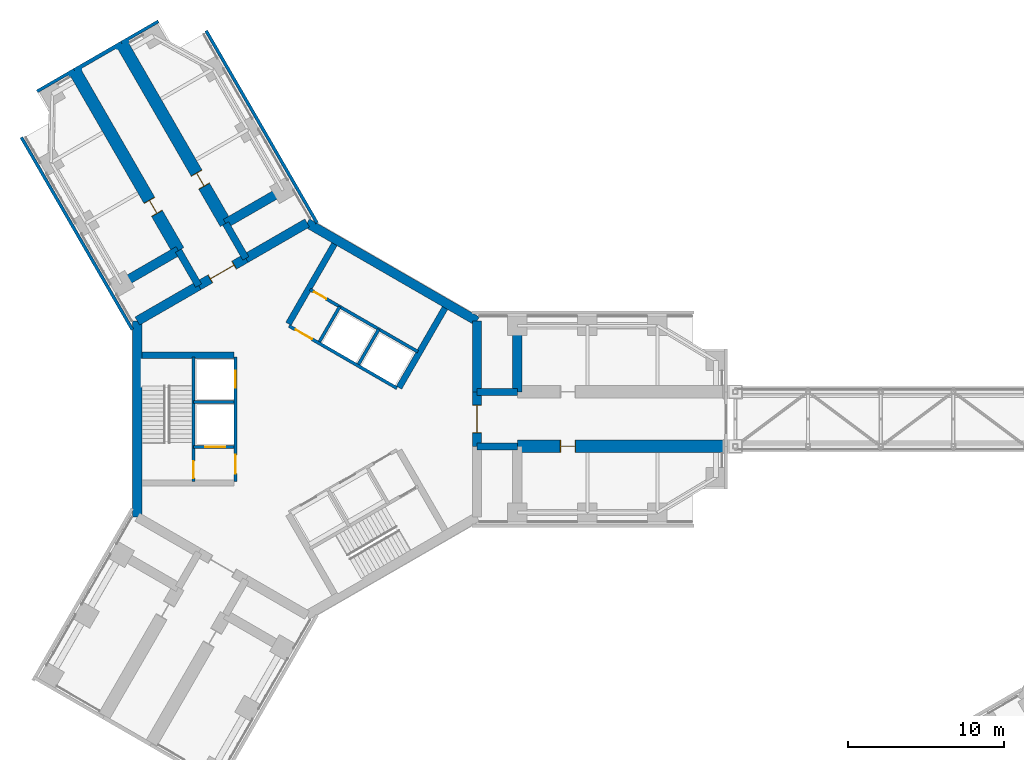
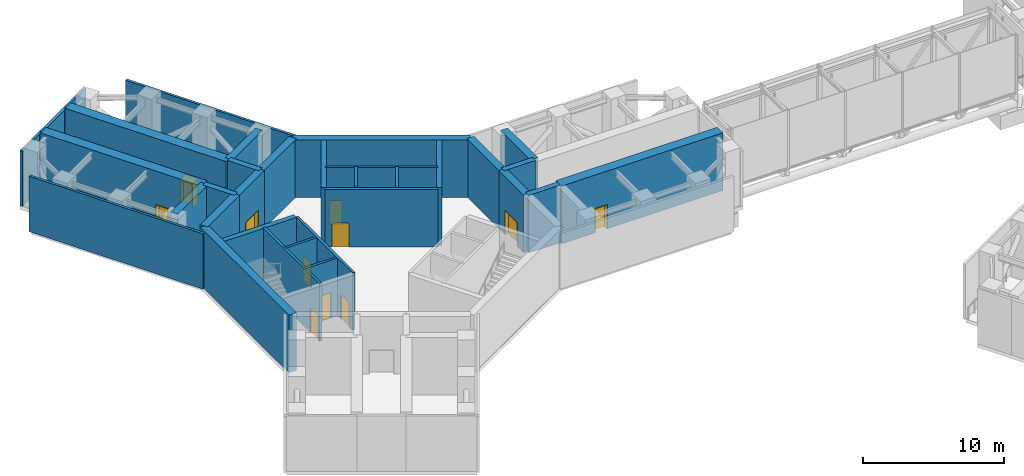
# One storey, part 8 of 15: 35 walls, 11 doors, 11 openings.
"""IFC4 building model written with IfcOpenShell, lengths in metres."""

from ifc_helpers import new_model, si_unit, direction, frame, frame_2d, origin, place, context, subcontext, project, spatial, rectangle, extrude, material, layer, layer_set, type_object, element, fill, save


model = new_model("IFC4")

# Units and contexts
model_context = context("Model", 3, precision=1e-05, world=origin(), true_north=direction((0.0, 1.0)))
body_context = subcontext(model_context, "Body", "Model", "MODEL_VIEW")
ifc_project = project(units=[si_unit("LENGTHUNIT", "METRE"), si_unit("AREAUNIT", "SQUARE_METRE"), si_unit("VOLUMEUNIT", "CUBIC_METRE"), si_unit("PLANEANGLEUNIT", "RADIAN"), si_unit("MASSUNIT", "GRAM", prefix="KILO")], contexts=[model_context])

# Site, building, storey
site_placement = place(None, origin())
site = spatial("IfcSite", under=ifc_project, at=site_placement, CompositionType="ELEMENT")
building_placement = place(site_placement, origin())
building = spatial("IfcBuilding", under=site, at=building_placement, Name="Upepo Twin Towers", CompositionType="ELEMENT")
storey_placement = place(building_placement, frame((0.0, 0.0, 165.5)))
storey = spatial("IfcBuildingStorey", under=building, at=storey_placement, Name="L40", CompositionType="ELEMENT", Elevation=165.5)

# Walls
ifc_material_1 = material(Name="Precast concrete breeze blocks", Category="concrete")
ifc_layer_1 = layer(ifc_material_1, 0.199951171875)
ifc_layer_set_1 = layer_set([ifc_layer_1], Name="Breeze-block screen wall 200")
wall_type_1 = type_object("IfcWallType", Name="Breeze-block screen wall 200", PredefinedType="USERDEFINED", material=ifc_layer_set_1)
for number, where, z_axis, x_axis, name in (
    (1, (-11.225830078125, 5.74365234375, 0.0), (0.0, 0.0, 1.0), (-0.499994100716, 0.866028809711, 0.0), "T1 L40 wing B screen L"),
    (2, (-6.49267578125, 24.94580078125, 0.0), (0.0, 0.0, 1.0), (0.499994100716, -0.866028809711, 0.0), "T1 L40 wing B screen R"),
):
    element("IfcWall", number, at=place(storey_placement, frame(where, z_axis=z_axis, x_axis=x_axis)), inside=storey, type_object=wall_type_1, Name=name, ObjectType="SCREEN", PredefinedType="USERDEFINED", context=body_context, shape_type="SweptSolid", body=[
        extrude(rectangle(XDim=14.262939453125, YDim=0.199951171875, at=frame_2d((7.13134765625, 0.0))), origin(), (0.0, 0.0, 1.0), 4.800048828125),
    ])
for number, where, z_axis, x_axis, name in (
    (3, (-9.552978515625, 25.546142578125, 0.0), (0.0, 0.0, 1.0), (-0.866027397988, -0.499996545922, 0.0), "T1 L40 wing B nose screen 0"),
    (4, (-14.965576171875, 22.421142578125, 0.0), (0.0, 0.0, 1.0), (-0.866027397988, -0.499996545922, 0.0), "T1 L40 wing B nose screen 2"),
):
    element("IfcWall", number, at=place(storey_placement, frame(where, z_axis=z_axis, x_axis=x_axis)), inside=storey, type_object=wall_type_1, Name=name, ObjectType="SCREEN", PredefinedType="USERDEFINED", context=body_context, shape_type="SweptSolid", body=[
        extrude(rectangle(XDim=2.75, YDim=0.199951171875, at=frame_2d((1.375, 0.0))), origin(), (0.0, 0.0, 1.0), 4.800048828125),
    ])
ifc_material_2 = material(Name="Dense concrete blockwork", Category="masonry")
ifc_layer_2 = layer(ifc_material_2, 0.800048828125)
ifc_layer_set_2 = layer_set([ifc_layer_2], Name="Buttress closer 800, blockwork with fire-stopping to the curtain wall")
wall_type_2 = type_object("IfcWallType", Name="Buttress closer 800, blockwork with fire-stopping to the curtain wall", PredefinedType="PARTITIONING", material=ifc_layer_set_2)
wall_1_placement = place(storey_placement, frame((-14.865478515625, 22.247802734375, 0.0), z_axis=(0.0, 0.0, 1.0), x_axis=(-0.500844580232, 0.86553723574, 0.0)))
element("IfcWall", 5, at=wall_1_placement, inside=storey, type_object=wall_type_2, Name="T1 L40 wing B buttress closer L", PredefinedType="PARTITIONING", context=body_context, shape_type="SweptSolid", body=[
    extrude(rectangle(XDim=0.05029296875, YDim=0.800048828125, at=frame_2d((0.025146484375, 0.0))), origin(), (0.0, 0.0, 1.0), 4.800048828125),
])
wall_2_placement = place(storey_placement, frame((-11.83447265625, 23.997802734375, 0.0), z_axis=(0.0, 0.0, 1.0), x_axis=(-0.497188445666, 0.867642581652, 0.0)))
element("IfcWall", 6, at=wall_2_placement, inside=storey, type_object=wall_type_2, Name="T1 L40 wing B buttress closer R", PredefinedType="PARTITIONING", context=body_context, shape_type="SweptSolid", body=[
    extrude(rectangle(XDim=0.050048828125, YDim=0.800048828125, at=frame_2d((0.02490234375, 0.0))), origin(), (0.0, 0.0, 1.0), 4.800048828125),
])
ifc_material_3 = material(Name="Concrete C60/75", Category="concrete")
ifc_layer_3 = layer(ifc_material_3, 0.449951171875)
ifc_layer_set_3 = layer_set([ifc_layer_3], Name="Concrete C60/75")
wall_type_3 = type_object("IfcWallType", Name="Buttress wall 450 RC", PredefinedType="SHEAR", material=ifc_layer_set_3)
for number, where, z_axis, x_axis, name in (
    (7, (10.908447265625, 1.75, 0.0), (0.0, 0.0, 1.0), (1.0, 0.0, 0.0), "T1 wing A buttress wall L"),
    (8, (10.908447265625, -1.75, 0.0), (0.0, 0.0, 1.0), (1.0, 0.0, 0.0), "T1 wing A buttress wall R"),
):
    element("IfcWall", number, at=place(storey_placement, frame(where, z_axis=z_axis, x_axis=x_axis)), inside=storey, type_object=wall_type_3, Name=name, PredefinedType="SHEAR", context=body_context, shape_type="SweptSolid", body=[
        extrude(rectangle(XDim=2.591552734375, YDim=0.449951171875, at=frame_2d((1.2958984375, 0.0))), origin(), (0.0, 0.0, 1.0), 5.0),
    ])
for number, where, z_axis, x_axis, name in (
    (9, (-6.9697265625, 8.57177734375, 0.0), (0.0, 0.0, 1.0), (-0.499988811324, 0.866031863473, 0.0), "T1 wing B buttress wall L"),
    (10, (-3.938720703125, 10.32177734375, 0.0), (0.0, 0.0, 1.0), (-0.499918158782, 0.866072649678, 0.0), "T1 wing B buttress wall R"),
):
    element("IfcWall", number, at=place(storey_placement, frame(where, z_axis=z_axis, x_axis=x_axis)), inside=storey, type_object=wall_type_3, Name=name, PredefinedType="SHEAR", context=body_context, shape_type="SweptSolid", body=[
        extrude(rectangle(XDim=2.591796875, YDim=0.449951171875, at=frame_2d((1.2958984375, 0.0))), origin(), (0.0, 0.0, 1.0), 5.0),
    ])

# Wall, opening, door
ifc_material_4 = material(Name="Concrete C60/75", Category="concrete")
ifc_layer_4 = layer(ifc_material_4, 0.800048828125)
ifc_layer_set_4 = layer_set([ifc_layer_4], Name="Concrete C60/75")
wall_type_4 = type_object("IfcWallType", Name="Buttress wall 800 RC", PredefinedType="SHEAR", material=ifc_layer_set_4)
wall_3_placement = place(storey_placement, frame((13.5, -1.75, 0.0), z_axis=(0.0, 0.0, 1.0), x_axis=(1.0, 0.0, 0.0)))
wall_3 = element("IfcWall", 11, at=wall_3_placement, inside=storey, type_object=wall_type_4, Name="T1 wing A buttress wall R part 2", PredefinedType="SHEAR", context=body_context, shape_type="SweptSolid", body=[
    extrude(rectangle(XDim=13.199951171875, YDim=0.800048828125, at=frame_2d((6.60009765625, 0.0))), origin(), (0.0, 0.0, 1.0), 5.0),
])
opening_1_placement = place(wall_3_placement, frame((2.75, 0.0, 0.0)))
opening_1 = element("IfcOpeningElement", 12, at=opening_1_placement, cuts=wall_3, Name="Opening D1", PredefinedType="OPENING", context=body_context, shape_type="SweptSolid", body=[
    extrude(rectangle(XDim=1.0, YDim=2.10009765625, at=frame_2d((0.5, 1.050048828125))), frame((0.0, 0.409912109375, 0.0), z_axis=(0.0, -1.0, 0.0), x_axis=(1.0, 0.0, 0.0)), (0.0, 0.0, 1.0), 0.820068359375),
])
ifc_material_5 = material(Name="Timber doorset", Category="wood")
door_type_1 = type_object("IfcDoorType", Name="Room door 1000 FD30", OperationType="SINGLE_SWING_LEFT", PredefinedType="DOOR", material=ifc_material_5)
door_1_placement = place(opening_1_placement, origin())
door_1 = element("IfcDoor", 13, at=door_1_placement, inside=storey, type_object=door_type_1, Name="T1 L40 air-handling plant room door", OperationType="SINGLE_SWING_LEFT", OverallHeight=2.10009765625, OverallWidth=1.0, PredefinedType="DOOR", context=body_context, shape_type="SweptSolid", body=[
    extrude(rectangle(XDim=0.92, YDim=2.06009765625, at=frame_2d((0.5, 1.030029296875))), frame((0.0, 0.02490234375, 0.0), z_axis=(0.0, -1.0, 0.0), x_axis=(1.0, 0.0, 0.0)), (0.0, 0.0, 1.0), 0.050048828125),
    extrude(rectangle(XDim=0.04, YDim=2.10009765625, at=frame_2d((0.02001953125, 1.050048828125))), frame((0.0, 0.39990234375, 0.0), z_axis=(0.0, -1.0, 0.0), x_axis=(1.0, 0.0, 0.0)), (0.0, 0.0, 1.0), 0.799560546875),
    extrude(rectangle(XDim=0.04, YDim=2.10009765625, at=frame_2d((0.97998046875, 1.050048828125))), frame((0.0, 0.39990234375, 0.0), z_axis=(0.0, -1.0, 0.0), x_axis=(1.0, 0.0, 0.0)), (0.0, 0.0, 1.0), 0.799560546875),
    extrude(rectangle(XDim=0.92, YDim=0.04, at=frame_2d((0.5, 2.080078125))), frame((0.0, 0.39990234375, 0.0), z_axis=(0.0, -1.0, 0.0), x_axis=(1.0, 0.0, 0.0)), (0.0, 0.0, 1.0), 0.799560546875),
])
fill(opening_1, door_1)

wall_4_placement = place(storey_placement, frame((-8.265625, 10.81640625, 0.0), z_axis=(0.0, 0.0, 1.0), x_axis=(-0.499996231654, 0.866027579429, 0.0)))
wall_4 = element("IfcWall", 14, at=wall_4_placement, inside=storey, type_object=wall_type_4, Name="T1 wing B buttress wall L part 2", PredefinedType="SHEAR", context=body_context, shape_type="SweptSolid", body=[
    extrude(rectangle(XDim=13.19970703125, YDim=0.800048828125, at=frame_2d((6.599853515625, 0.0))), origin(), (0.0, 0.0, 1.0), 5.0),
])
opening_2_placement = place(wall_4_placement, frame((2.75, 0.0, 0.0)))
opening_2 = element("IfcOpeningElement", 15, at=opening_2_placement, cuts=wall_4, Name="Opening D1", PredefinedType="OPENING", context=body_context, shape_type="SweptSolid", body=[
    extrude(rectangle(XDim=1.0, YDim=2.10009765625, at=frame_2d((0.5, 1.050048828125))), frame((0.0, 0.409912109375, 0.0), z_axis=(0.0, -1.0, 0.0), x_axis=(1.0, 0.0, 0.0)), (0.0, 0.0, 1.0), 0.820068359375),
])
door_2_placement = place(opening_2_placement, origin())
door_2 = element("IfcDoor", 16, at=door_2_placement, inside=storey, type_object=door_type_1, Name="T1 L40 refuge area door", OperationType="SINGLE_SWING_LEFT", OverallHeight=2.10009765625, OverallWidth=1.0, PredefinedType="DOOR", context=body_context, shape_type="SweptSolid", body=[
    extrude(rectangle(XDim=0.92, YDim=2.06009765625, at=frame_2d((0.5, 1.030029296875))), frame((0.0, 0.02490234375, 0.0), z_axis=(0.0, -1.0, 0.0), x_axis=(1.0, 0.0, 0.0)), (0.0, 0.0, 1.0), 0.050048828125),
    extrude(rectangle(XDim=0.04, YDim=2.10009765625, at=frame_2d((0.02001953125, 1.050048828125))), frame((0.0, 0.39990234375, 0.0), z_axis=(0.0, -1.0, 0.0), x_axis=(1.0, 0.0, 0.0)), (0.0, 0.0, 1.0), 0.799560546875),
    extrude(rectangle(XDim=0.04, YDim=2.10009765625, at=frame_2d((0.97998046875, 1.050048828125))), frame((0.0, 0.39990234375, 0.0), z_axis=(0.0, -1.0, 0.0), x_axis=(1.0, 0.0, 0.0)), (0.0, 0.0, 1.0), 0.799560546875),
    extrude(rectangle(XDim=0.92, YDim=0.04, at=frame_2d((0.5, 2.080078125))), frame((0.0, 0.39990234375, 0.0), z_axis=(0.0, -1.0, 0.0), x_axis=(1.0, 0.0, 0.0)), (0.0, 0.0, 1.0), 0.799560546875),
])
fill(opening_2, door_2)

wall_5_placement = place(storey_placement, frame((-5.234375, 12.56640625, 0.0), z_axis=(0.0, 0.0, 1.0), x_axis=(-0.500010103361, 0.866019570528, 0.0)))
wall_5 = element("IfcWall", 17, at=wall_5_placement, inside=storey, type_object=wall_type_4, Name="T1 wing B buttress wall R part 2", PredefinedType="SHEAR", context=body_context, shape_type="SweptSolid", body=[
    extrude(rectangle(XDim=13.199951171875, YDim=0.800048828125, at=frame_2d((6.60009765625, 0.0))), origin(), (0.0, 0.0, 1.0), 5.0),
])
opening_3_placement = place(wall_5_placement, frame((2.75, 0.0, 0.0)))
opening_3 = element("IfcOpeningElement", 18, at=opening_3_placement, cuts=wall_5, Name="Opening D1", PredefinedType="OPENING", context=body_context, shape_type="SweptSolid", body=[
    extrude(rectangle(XDim=1.0, YDim=2.10009765625, at=frame_2d((0.5, 1.050048828125))), frame((0.0, 0.409912109375, 0.0), z_axis=(0.0, -1.0, 0.0), x_axis=(1.0, 0.0, 0.0)), (0.0, 0.0, 1.0), 0.820068359375),
])
door_3_placement = place(opening_3_placement, origin())
door_3 = element("IfcDoor", 19, at=door_3_placement, inside=storey, type_object=door_type_1, Name="T1 L40 booster pump plant room door", OperationType="SINGLE_SWING_LEFT", OverallHeight=2.10009765625, OverallWidth=1.0, PredefinedType="DOOR", context=body_context, shape_type="SweptSolid", body=[
    extrude(rectangle(XDim=0.92, YDim=2.06009765625, at=frame_2d((0.5, 1.030029296875))), frame((0.0, 0.02490234375, 0.0), z_axis=(0.0, -1.0, 0.0), x_axis=(1.0, 0.0, 0.0)), (0.0, 0.0, 1.0), 0.050048828125),
    extrude(rectangle(XDim=0.04, YDim=2.10009765625, at=frame_2d((0.02001953125, 1.050048828125))), frame((0.0, 0.39990234375, 0.0), z_axis=(0.0, -1.0, 0.0), x_axis=(1.0, 0.0, 0.0)), (0.0, 0.0, 1.0), 0.799560546875),
    extrude(rectangle(XDim=0.04, YDim=2.10009765625, at=frame_2d((0.97998046875, 1.050048828125))), frame((0.0, 0.39990234375, 0.0), z_axis=(0.0, -1.0, 0.0), x_axis=(1.0, 0.0, 0.0)), (0.0, 0.0, 1.0), 0.799560546875),
    extrude(rectangle(XDim=0.92, YDim=0.04, at=frame_2d((0.5, 2.080078125))), frame((0.0, 0.39990234375, 0.0), z_axis=(0.0, -1.0, 0.0), x_axis=(1.0, 0.0, 0.0)), (0.0, 0.0, 1.0), 0.799560546875),
])
fill(opening_3, door_3)

ifc_material_6 = material(Name="Concrete C60/75", Category="concrete")
ifc_layer_5 = layer(ifc_material_6, 0.60009765625)
ifc_layer_set_5 = layer_set([ifc_layer_5], Name="Concrete C60/75")
wall_type_5 = type_object("IfcWallType", Name="Core wall 600 RC", PredefinedType="SHEAR", material=ifc_layer_set_5)
wall_6_placement = place(storey_placement, frame((10.908447265625, -1.75, 0.0), z_axis=(0.0, 0.0, 1.0), x_axis=(0.0, 1.0, 0.0)))
wall_6 = element("IfcWall", 20, at=wall_6_placement, inside=storey, type_object=wall_type_5, Name="T1 core wall 000", PredefinedType="SHEAR", context=body_context, shape_type="SweptSolid", body=[
    extrude(rectangle(XDim=3.5, YDim=0.60009765625, at=frame_2d((1.75, 0.0))), origin(), (0.0, 0.0, 1.0), 5.0),
])
opening_4_placement = place(wall_6_placement, frame((0.85009765625, 0.0, 0.0)))
opening_4 = element("IfcOpeningElement", 21, at=opening_4_placement, cuts=wall_6, Name="Opening D2", PredefinedType="OPENING", context=body_context, shape_type="SweptSolid", body=[
    extrude(rectangle(XDim=1.800048828125, YDim=2.10009765625, at=frame_2d((0.89990234375, 1.050048828125))), frame((0.0, 0.31005859375, 0.0), z_axis=(0.0, -1.0, 0.0), x_axis=(1.0, 0.0, 0.0)), (0.0, 0.0, 1.0), 0.6201171875),
])
ifc_material_7 = material(Name="Timber doorset", Category="wood")
door_type_2 = type_object("IfcDoorType", Name="Corridor double door 1800 FD60", OperationType="DOUBLE_DOOR_DOUBLE_SWING", PredefinedType="DOOR", material=ifc_material_7)
door_4_placement = place(opening_4_placement, origin())
door_4 = element("IfcDoor", 22, at=door_4_placement, inside=storey, type_object=door_type_2, Name="T1 L40 wing A corridor door", OperationType="DOUBLE_DOOR_DOUBLE_SWING", OverallHeight=2.10009765625, OverallWidth=1.800048828125, PredefinedType="DOOR", context=body_context, shape_type="SweptSolid", body=[
    extrude(rectangle(XDim=1.720048828125, YDim=2.06009765625, at=frame_2d((0.89990234375, 1.030029296875))), frame((0.0, 0.02490234375, 0.0), z_axis=(0.0, -1.0, 0.0), x_axis=(1.0, 0.0, 0.0)), (0.0, 0.0, 1.0), 0.050048828125),
    extrude(rectangle(XDim=0.04, YDim=2.10009765625, at=frame_2d((0.02001953125, 1.050048828125))), frame((0.0, 0.2998046875, 0.0), z_axis=(0.0, -1.0, 0.0), x_axis=(1.0, 0.0, 0.0)), (0.0, 0.0, 1.0), 0.599609375),
    extrude(rectangle(XDim=0.04, YDim=2.10009765625, at=frame_2d((1.780029296875, 1.050048828125))), frame((0.0, 0.2998046875, 0.0), z_axis=(0.0, -1.0, 0.0), x_axis=(1.0, 0.0, 0.0)), (0.0, 0.0, 1.0), 0.599609375),
    extrude(rectangle(XDim=1.720048828125, YDim=0.04, at=frame_2d((0.89990234375, 2.080078125))), frame((0.0, 0.2998046875, 0.0), z_axis=(0.0, -1.0, 0.0), x_axis=(1.0, 0.0, 0.0)), (0.0, 0.0, 1.0), 0.599609375),
])
fill(opening_4, door_4)

# Walls
wall_7_placement = place(storey_placement, frame((10.908447265625, 1.75, 0.0), z_axis=(0.0, 0.0, 1.0), x_axis=(0.0, 1.0, 0.0)))
element("IfcWall", 23, at=wall_7_placement, inside=storey, type_object=wall_type_5, Name="T1 core wall 000 L", PredefinedType="SHEAR", context=body_context, shape_type="SweptSolid", body=[
    extrude(rectangle(XDim=4.5478515625, YDim=0.60009765625, at=frame_2d((2.27392578125, 0.0))), origin(), (0.0, 0.0, 1.0), 5.0),
])
wall_8_placement = place(storey_placement, frame((10.908447265625, 6.2978515625, 0.0), z_axis=(0.0, 0.0, 1.0), x_axis=(-0.866021940709, 0.500005998175, 0.0)))
element("IfcWall", 24, at=wall_8_placement, inside=storey, type_object=wall_type_5, Name="T1 core wall 060", PredefinedType="SHEAR", context=body_context, shape_type="SweptSolid", body=[
    extrude(rectangle(XDim=12.595947265625, YDim=0.60009765625, at=frame_2d((6.2978515625, 0.0))), origin(), (0.0, 0.0, 1.0), 5.0),
])
wall_9_placement = place(storey_placement, frame((0.0, 12.595947265625, 0.0), z_axis=(0.0, 0.0, 1.0), x_axis=(-0.866011268655, -0.500024481964, 0.0)))
element("IfcWall", 25, at=wall_9_placement, inside=storey, type_object=wall_type_5, Name="T1 core wall 120 R", PredefinedType="SHEAR", context=body_context, shape_type="SweptSolid", body=[
    extrude(rectangle(XDim=4.548095703125, YDim=0.60009765625, at=frame_2d((2.27392578125, 0.0))), origin(), (0.0, 0.0, 1.0), 5.0),
])

# Wall, opening, door
wall_10_placement = place(storey_placement, frame((-3.938720703125, 10.32177734375, 0.0), z_axis=(0.0, 0.0, 1.0), x_axis=(-0.866019471182, -0.500010275428, 0.0)))
wall_10 = element("IfcWall", 26, at=wall_10_placement, inside=storey, type_object=wall_type_5, Name="T1 core wall 120", PredefinedType="SHEAR", context=body_context, shape_type="SweptSolid", body=[
    extrude(rectangle(XDim=3.5, YDim=0.60009765625, at=frame_2d((1.75, 0.0))), origin(), (0.0, 0.0, 1.0), 5.0),
])
opening_5_placement = place(wall_10_placement, frame((0.85009765625, 0.0, 0.0)))
opening_5 = element("IfcOpeningElement", 27, at=opening_5_placement, cuts=wall_10, Name="Opening D2", PredefinedType="OPENING", context=body_context, shape_type="SweptSolid", body=[
    extrude(rectangle(XDim=1.800048828125, YDim=2.10009765625, at=frame_2d((0.89990234375, 1.050048828125))), frame((0.0, 0.31005859375, 0.0), z_axis=(0.0, -1.0, 0.0), x_axis=(1.0, 0.0, 0.0)), (0.0, 0.0, 1.0), 0.6201171875),
])
door_5_placement = place(opening_5_placement, origin())
door_5 = element("IfcDoor", 28, at=door_5_placement, inside=storey, type_object=door_type_2, Name="T1 L40 wing B corridor door", OperationType="DOUBLE_DOOR_DOUBLE_SWING", OverallHeight=2.10009765625, OverallWidth=1.800048828125, PredefinedType="DOOR", context=body_context, shape_type="SweptSolid", body=[
    extrude(rectangle(XDim=1.720048828125, YDim=2.06009765625, at=frame_2d((0.89990234375, 1.030029296875))), frame((0.0, 0.02490234375, 0.0), z_axis=(0.0, -1.0, 0.0), x_axis=(1.0, 0.0, 0.0)), (0.0, 0.0, 1.0), 0.050048828125),
    extrude(rectangle(XDim=0.04, YDim=2.10009765625, at=frame_2d((0.02001953125, 1.050048828125))), frame((0.0, 0.2998046875, 0.0), z_axis=(0.0, -1.0, 0.0), x_axis=(1.0, 0.0, 0.0)), (0.0, 0.0, 1.0), 0.599609375),
    extrude(rectangle(XDim=0.04, YDim=2.10009765625, at=frame_2d((1.780029296875, 1.050048828125))), frame((0.0, 0.2998046875, 0.0), z_axis=(0.0, -1.0, 0.0), x_axis=(1.0, 0.0, 0.0)), (0.0, 0.0, 1.0), 0.599609375),
    extrude(rectangle(XDim=1.720048828125, YDim=0.04, at=frame_2d((0.89990234375, 2.080078125))), frame((0.0, 0.2998046875, 0.0), z_axis=(0.0, -1.0, 0.0), x_axis=(1.0, 0.0, 0.0)), (0.0, 0.0, 1.0), 0.599609375),
])
fill(opening_5, door_5)

# Walls
wall_11_placement = place(storey_placement, frame((-6.9697265625, 8.57177734375, 0.0), z_axis=(0.0, 0.0, 1.0), x_axis=(-0.866034513004, -0.499984222037, 0.0)))
element("IfcWall", 29, at=wall_11_placement, inside=storey, type_object=wall_type_5, Name="T1 core wall 120 L", PredefinedType="SHEAR", context=body_context, shape_type="SweptSolid", body=[
    extrude(rectangle(XDim=4.548095703125, YDim=0.60009765625, at=frame_2d((2.27392578125, 0.0))), origin(), (0.0, 0.0, 1.0), 5.0),
])
wall_12_placement = place(storey_placement, frame((-10.908447265625, 6.2978515625, 0.0), z_axis=(0.0, 0.0, 1.0), x_axis=(0.0, -1.0, 0.0)))
element("IfcWall", 30, at=wall_12_placement, inside=storey, type_object=wall_type_5, Name="T1 core wall 180", PredefinedType="SHEAR", context=body_context, shape_type="SweptSolid", body=[
    extrude(rectangle(XDim=12.595703125, YDim=0.60009765625, at=frame_2d((6.2978515625, 0.0))), origin(), (0.0, 0.0, 1.0), 5.0),
])
ifc_material_8 = material(Name="Blockwork with anodised aluminium cladding", Category="masonry")
ifc_layer_6 = layer(ifc_material_8, 0.25)
ifc_layer_set_6 = layer_set([ifc_layer_6], Name="Notch cladding wall 250, pale metal")
wall_type_6 = type_object("IfcWallType", Name="Notch cladding wall 250, pale metal", PredefinedType="STANDARD", material=ifc_layer_set_6)
wall_13_placement = place(storey_placement, frame((-11.921875, 24.1494140625, 0.0), z_axis=(0.0, 0.0, 1.0), x_axis=(-0.866036909293, -0.499980071345, 0.0)))
element("IfcWall", 31, at=wall_13_placement, inside=storey, type_object=wall_type_6, Name="T1 L40 wing B nose wall", PredefinedType="STANDARD", context=body_context, shape_type="SweptSolid", body=[
    extrude(rectangle(XDim=3.500244140625, YDim=0.25, at=frame_2d((1.75, 0.0))), origin(), (0.0, 0.0, 1.0), 4.800048828125),
])
ifc_material_9 = material(Name="Concrete C60/75", Category="concrete")
ifc_layer_7 = layer(ifc_material_9, 0.60009765625)
ifc_layer_set_7 = layer_set([ifc_layer_7], Name="Concrete C60/75")
wall_type_7 = type_object("IfcWallType", Name="Outrigger wall 600 RC", PredefinedType="SHEAR", material=ifc_layer_set_7)
wall_14_placement = place(storey_placement, frame((13.5, 1.75, 0.0), z_axis=(0.0, 0.0, 1.0), x_axis=(0.0, 1.0, 0.0)))
element("IfcWall", 32, at=wall_14_placement, inside=storey, type_object=wall_type_7, Name="T1 outrigger wall AL", PredefinedType="SHEAR", context=body_context, shape_type="SweptSolid", body=[
    extrude(rectangle(XDim=4.25, YDim=0.60009765625, at=frame_2d((2.125, 0.0))), origin(), (0.0, 0.0, 1.0), 5.0),
])
for number, where, z_axis, x_axis, name in (
    (33, (-8.265625, 10.81640625, 0.0), (0.0, 0.0, 1.0), (-0.866014341725, -0.50001915956, 0.0), "T1 outrigger wall BL"),
    (34, (-5.234375, 12.56640625, 0.0), (0.0, 0.0, 1.0), (0.866014341725, 0.50001915956, 0.0), "T1 outrigger wall BR"),
):
    element("IfcWall", number, at=place(storey_placement, frame(where, z_axis=z_axis, x_axis=x_axis)), inside=storey, type_object=wall_type_7, Name=name, PredefinedType="SHEAR", context=body_context, shape_type="SweptSolid", body=[
        extrude(rectangle(XDim=4.249755859375, YDim=0.60009765625, at=frame_2d((2.125, 0.0))), origin(), (0.0, 0.0, 1.0), 5.0),
    ])

# Wall, opening, door
ifc_material_10 = material(Name="Concrete C40/50", Category="concrete")
ifc_layer_8 = layer(ifc_material_10, 0.199951171875)
ifc_layer_set_8 = layer_set([ifc_layer_8], Name="Concrete C40/50")
wall_type_8 = type_object("IfcWallType", Name="Shaft wall 200 RC", PredefinedType="SHEAR", material=ifc_layer_set_8)
wall_15_placement = place(storey_placement, frame((5.76416015625, 1.983642578125, 0.0), z_axis=(0.0, 0.0, 1.0), x_axis=(-0.866026010844, 0.49999894854, 0.0)))
wall_15 = element("IfcWall", 35, at=wall_15_placement, inside=storey, type_object=wall_type_8, Name="T1 core W60 front wall", PredefinedType="SHEAR", context=body_context, shape_type="SweptSolid", body=[
    extrude(rectangle(XDim=8.0, YDim=0.199951171875, at=frame_2d((4.0, 0.0))), origin(), (0.0, 0.0, 1.0), 5.0),
])
opening_6_placement = place(wall_15_placement, frame((6.300048828125, 0.0, 0.0)))
opening_6 = element("IfcOpeningElement", 36, at=opening_6_placement, cuts=wall_15, Name="Opening D4", PredefinedType="OPENING", context=body_context, shape_type="SweptSolid", body=[
    extrude(rectangle(XDim=1.199951171875, YDim=2.10009765625, at=frame_2d((0.60009765625, 1.050048828125))), frame((0.0, 0.10986328125, 0.0), z_axis=(0.0, -1.0, 0.0), x_axis=(1.0, 0.0, 0.0)), (0.0, 0.0, 1.0), 0.219970703125),
])
ifc_material_11 = material(Name="Timber doorset", Category="wood")
door_type_3 = type_object("IfcDoorType", Name="Lobby door 1200 FD60", OperationType="SINGLE_SWING_LEFT", PredefinedType="DOOR", material=ifc_material_11)
door_6_placement = place(opening_6_placement, origin())
door_6 = element("IfcDoor", 37, at=door_6_placement, inside=storey, type_object=door_type_3, Name="T1 L40 W60 lobby door", OperationType="SINGLE_SWING_RIGHT", OverallHeight=2.10009765625, OverallWidth=1.199951171875, PredefinedType="DOOR", context=body_context, shape_type="SweptSolid", body=[
    extrude(rectangle(XDim=1.199951171875, YDim=2.10009765625, at=frame_2d((0.60009765625, 1.050048828125))), frame((0.0, 0.02490234375, 0.0), z_axis=(0.0, -1.0, 0.0), x_axis=(1.0, 0.0, 0.0)), (0.0, 0.0, 1.0), 0.050048828125),
])
fill(opening_6, door_6)

# Walls
for number, where, z_axis, x_axis, name in (
    (38, (3.302734375, 3.520263671875, 0.0), (0.0, 0.0, 1.0), (0.499936506574, 0.866062058628, 0.0), "T1 core W60 shaft divider"),
    (39, (0.791259765625, 4.97021484375, 0.0), (0.0, 0.0, 1.0), (0.499936506574, 0.866062058628, 0.0), "T1 core W60 lobby wall"),
):
    element("IfcWall", number, at=place(storey_placement, frame(where, z_axis=z_axis, x_axis=x_axis)), inside=storey, type_object=wall_type_8, Name=name, PredefinedType="SHEAR", context=body_context, shape_type="SweptSolid", body=[
        extrude(rectangle(XDim=2.599853515625, YDim=0.199951171875, at=frame_2d((1.2998046875, 0.0))), origin(), (0.0, 0.0, 1.0), 5.0),
    ])

# Wall, opening, door
wall_16_placement = place(storey_placement, frame((7.114013671875, 4.322021484375, 0.0), z_axis=(0.0, 0.0, 1.0), x_axis=(-0.866026010844, 0.49999894854, 0.0)))
wall_16 = element("IfcWall", 40, at=wall_16_placement, inside=storey, type_object=wall_type_8, Name="T1 core W60 stair wall", PredefinedType="SHEAR", context=body_context, shape_type="SweptSolid", body=[
    extrude(rectangle(XDim=8.0, YDim=0.199951171875, at=frame_2d((4.0, 0.0))), origin(), (0.0, 0.0, 1.0), 5.0),
])
opening_7_placement = place(wall_16_placement, frame((6.800048828125, 0.0, 0.0)))
opening_7 = element("IfcOpeningElement", 41, at=opening_7_placement, cuts=wall_16, Name="Opening D9", PredefinedType="OPENING", context=body_context, shape_type="SweptSolid", body=[
    extrude(rectangle(XDim=0.89990234375, YDim=2.10009765625, at=frame_2d((0.449951171875, 1.050048828125))), frame((0.0, 0.10986328125, 0.0), z_axis=(0.0, -1.0, 0.0), x_axis=(1.0, 0.0, 0.0)), (0.0, 0.0, 1.0), 0.219970703125),
])
ifc_material_12 = material(Name="Timber doorset", Category="wood")
door_type_4 = type_object("IfcDoorType", Name="Riser door 900 FD60", OperationType="SINGLE_SWING_LEFT", PredefinedType="DOOR", material=ifc_material_12)
door_7_placement = place(opening_7_placement, origin())
door_7 = element("IfcDoor", 42, at=door_7_placement, inside=storey, type_object=door_type_4, Name="T1 L40 riser door", OperationType="SINGLE_SWING_RIGHT", OverallHeight=2.10009765625, OverallWidth=0.89990234375, PredefinedType="DOOR", context=body_context, shape_type="SweptSolid", body=[
    extrude(rectangle(XDim=0.89990234375, YDim=2.10009765625, at=frame_2d((0.449951171875, 1.050048828125))), frame((0.0, 0.02490234375, 0.0), z_axis=(0.0, -1.0, 0.0), x_axis=(1.0, 0.0, 0.0)), (0.0, 0.0, 1.0), 0.050048828125),
])
fill(opening_7, door_7)

# Wall, openings, doors
wall_17_placement = place(storey_placement, frame((-4.60009765625, 4.0, 0.0), z_axis=(0.0, 0.0, 1.0), x_axis=(0.0, -1.0, 0.0)))
wall_17 = element("IfcWall", 43, at=wall_17_placement, inside=storey, type_object=wall_type_8, Name="T1 core W180 front wall", PredefinedType="SHEAR", context=body_context, shape_type="SweptSolid", body=[
    extrude(rectangle(XDim=8.0, YDim=0.199951171875, at=frame_2d((4.0, 0.0))), origin(), (0.0, 0.0, 1.0), 5.0),
])
opening_8_placement = place(wall_17_placement, frame((6.300048828125, 0.0, 0.0)))
opening_8 = element("IfcOpeningElement", 44, at=opening_8_placement, cuts=wall_17, Name="Opening D4", PredefinedType="OPENING", context=body_context, shape_type="SweptSolid", body=[
    extrude(rectangle(XDim=1.199951171875, YDim=2.10009765625, at=frame_2d((0.60009765625, 1.050048828125))), frame((0.0, 0.10986328125, 0.0), z_axis=(0.0, -1.0, 0.0), x_axis=(1.0, 0.0, 0.0)), (0.0, 0.0, 1.0), 0.219970703125),
])
opening_9_placement = place(wall_17_placement, frame((0.89990234375, 0.0, 0.0)))
opening_9 = element("IfcOpeningElement", 45, at=opening_9_placement, cuts=wall_17, Name="Opening LD1", PredefinedType="OPENING", context=body_context, shape_type="SweptSolid", body=[
    extrude(rectangle(XDim=1.10009765625, YDim=2.199951171875, at=frame_2d((0.550048828125, 1.10009765625))), frame((0.0, 0.10986328125, 0.0), z_axis=(0.0, -1.0, 0.0), x_axis=(1.0, 0.0, 0.0)), (0.0, 0.0, 1.0), 0.219970703125),
])
ifc_material_13 = material(Name="Steel doorset", Category="steel")
door_type_5 = type_object("IfcDoorType", Name="Lift landing door 1100", OperationType="DOUBLE_DOOR_SLIDING", PredefinedType="DOOR", material=ifc_material_13)
door_8_placement = place(opening_9_placement, origin())
door_8 = element("IfcDoor", 46, at=door_8_placement, inside=storey, type_object=door_type_5, Name="T1 L40 lift SV1 landing door", OperationType="DOUBLE_DOOR_SLIDING", OverallHeight=2.199951171875, OverallWidth=1.10009765625, PredefinedType="DOOR", context=body_context, shape_type="SweptSolid", body=[
    extrude(rectangle(XDim=1.10009765625, YDim=2.199951171875, at=frame_2d((0.550048828125, 1.10009765625))), frame((0.0, 0.02490234375, 0.0), z_axis=(0.0, -1.0, 0.0), x_axis=(1.0, 0.0, 0.0)), (0.0, 0.0, 1.0), 0.050048828125),
])
fill(opening_9, door_8)
door_9_placement = place(opening_8_placement, origin())
door_9 = element("IfcDoor", 47, at=door_9_placement, inside=storey, type_object=door_type_3, Name="T1 L40 W180 lobby door", OperationType="SINGLE_SWING_RIGHT", OverallHeight=2.10009765625, OverallWidth=1.199951171875, PredefinedType="DOOR", context=body_context, shape_type="SweptSolid", body=[
    extrude(rectangle(XDim=1.199951171875, YDim=2.10009765625, at=frame_2d((0.60009765625, 1.050048828125))), frame((0.0, 0.02490234375, 0.0), z_axis=(0.0, -1.0, 0.0), x_axis=(1.0, 0.0, 0.0)), (0.0, 0.0, 1.0), 0.050048828125),
])
fill(opening_8, door_9)

# Wall
wall_18_placement = place(storey_placement, frame((-4.699951171875, 1.10009765625, 0.0), z_axis=(0.0, 0.0, 1.0), x_axis=(-1.0, 0.0, 0.0)))
element("IfcWall", 48, at=wall_18_placement, inside=storey, type_object=wall_type_8, Name="T1 core W180 shaft divider", PredefinedType="SHEAR", context=body_context, shape_type="SweptSolid", body=[
    extrude(rectangle(XDim=2.60009765625, YDim=0.199951171875, at=frame_2d((1.300048828125, 0.0))), origin(), (0.0, 0.0, 1.0), 5.0),
])

# Wall, opening, door
wall_19_placement = place(storey_placement, frame((-4.699951171875, -1.800048828125, 0.0), z_axis=(0.0, 0.0, 1.0), x_axis=(-1.0, 0.0, 0.0)))
wall_19 = element("IfcWall", 49, at=wall_19_placement, inside=storey, type_object=wall_type_8, Name="T1 core W180 lobby wall", PredefinedType="SHEAR", context=body_context, shape_type="SweptSolid", body=[
    extrude(rectangle(XDim=2.60009765625, YDim=0.199951171875, at=frame_2d((1.300048828125, 0.0))), origin(), (0.0, 0.0, 1.0), 5.0),
])
opening_10_placement = place(wall_19_placement, frame((0.550048828125, 0.0, 0.0)))
opening_10 = element("IfcOpeningElement", 50, at=opening_10_placement, cuts=wall_19, Name="Opening LD2", PredefinedType="OPENING", context=body_context, shape_type="SweptSolid", body=[
    extrude(rectangle(XDim=1.300048828125, YDim=2.199951171875, at=frame_2d((0.64990234375, 1.10009765625))), frame((0.0, 0.10986328125, 0.0), z_axis=(0.0, -1.0, 0.0), x_axis=(1.0, 0.0, 0.0)), (0.0, 0.0, 1.0), 0.219970703125),
])
ifc_material_14 = material(Name="Steel doorset", Category="steel")
door_type_6 = type_object("IfcDoorType", Name="Firefighting lift landing door 1300", OperationType="DOUBLE_DOOR_SLIDING", PredefinedType="DOOR", material=ifc_material_14)
door_10_placement = place(opening_10_placement, origin())
door_10 = element("IfcDoor", 51, at=door_10_placement, inside=storey, type_object=door_type_6, Name="T1 L40 firefighting lift landing door", OperationType="DOUBLE_DOOR_SLIDING", OverallHeight=2.199951171875, OverallWidth=1.300048828125, PredefinedType="DOOR", context=body_context, shape_type="SweptSolid", body=[
    extrude(rectangle(XDim=1.300048828125, YDim=2.199951171875, at=frame_2d((0.64990234375, 1.10009765625))), frame((0.0, 0.02490234375, 0.0), z_axis=(0.0, -1.0, 0.0), x_axis=(1.0, 0.0, 0.0)), (0.0, 0.0, 1.0), 0.050048828125),
])
fill(opening_10, door_10)

wall_20_placement = place(storey_placement, frame((-7.300048828125, 4.0, 0.0), z_axis=(0.0, 0.0, 1.0), x_axis=(0.0, -1.0, 0.0)))
wall_20 = element("IfcWall", 52, at=wall_20_placement, inside=storey, type_object=wall_type_8, Name="T1 core W180 stair wall", PredefinedType="SHEAR", context=body_context, shape_type="SweptSolid", body=[
    extrude(rectangle(XDim=8.0, YDim=0.199951171875, at=frame_2d((4.0, 0.0))), origin(), (0.0, 0.0, 1.0), 5.0),
])
opening_11_placement = place(wall_20_placement, frame((6.699951171875, 0.0, 0.0)))
opening_11 = element("IfcOpeningElement", 53, at=opening_11_placement, cuts=wall_20, Name="Opening D3", PredefinedType="OPENING", context=body_context, shape_type="SweptSolid", body=[
    extrude(rectangle(XDim=1.10009765625, YDim=2.10009765625, at=frame_2d((0.550048828125, 1.050048828125))), frame((0.0, 0.10986328125, 0.0), z_axis=(0.0, -1.0, 0.0), x_axis=(1.0, 0.0, 0.0)), (0.0, 0.0, 1.0), 0.219970703125),
])
ifc_material_15 = material(Name="Timber doorset", Category="wood")
door_type_7 = type_object("IfcDoorType", Name="Stair door 1100 FD60", OperationType="SINGLE_SWING_LEFT", PredefinedType="DOOR", material=ifc_material_15)
door_11_placement = place(opening_11_placement, origin())
door_11 = element("IfcDoor", 54, at=door_11_placement, inside=storey, type_object=door_type_7, Name="T1 L40 stair door", OperationType="SINGLE_SWING_RIGHT", OverallHeight=2.10009765625, OverallWidth=1.10009765625, PredefinedType="DOOR", context=body_context, shape_type="SweptSolid", body=[
    extrude(rectangle(XDim=1.10009765625, YDim=2.10009765625, at=frame_2d((0.550048828125, 1.050048828125))), frame((0.0, 0.02490234375, 0.0), z_axis=(0.0, -1.0, 0.0), x_axis=(1.0, 0.0, 0.0)), (0.0, 0.0, 1.0), 0.050048828125),
])
fill(opening_11, door_11)

# Walls
ifc_material_16 = material(Name="Concrete C40/50", Category="concrete")
ifc_layer_9 = layer(ifc_material_16, 0.39990234375)
ifc_layer_set_9 = layer_set([ifc_layer_9], Name="Concrete C40/50")
wall_type_9 = type_object("IfcWallType", Name="Shaft wall 400 RC", PredefinedType="SHEAR", material=ifc_layer_set_9)
wall_21_placement = place(storey_placement, frame((-1.20068359375, 6.120361328125, 0.0), z_axis=(0.0, 0.0, 1.0), x_axis=(0.49999668571, 0.866027317282, 0.0)))
element("IfcWall", 55, at=wall_21_placement, inside=storey, type_object=wall_type_9, Name="T1 core W60 side wall N", PredefinedType="SHEAR", context=body_context, shape_type="SweptSolid", body=[
    extrude(rectangle(XDim=5.908203125, YDim=0.39990234375, at=frame_2d((2.9541015625, 0.0))), origin(), (0.0, 0.0, 1.0), 5.0),
])
for number, where, z_axis, x_axis, name in (
    (56, (5.900634765625, 2.020263671875, 0.0), (0.0, 0.0, 1.0), (0.500027676417, 0.866009424208, 0.0), "T1 core W60 side wall S"),
    (57, (-4.699951171875, 4.10009765625, 0.0), (0.0, 0.0, 1.0), (-1.0, 0.0, 0.0), "T1 core W180 side wall S"),
):
    element("IfcWall", number, at=place(storey_placement, frame(where, z_axis=z_axis, x_axis=x_axis)), inside=storey, type_object=wall_type_9, Name=name, PredefinedType="SHEAR", context=body_context, shape_type="SweptSolid", body=[
        extrude(rectangle(XDim=5.908447265625, YDim=0.39990234375, at=frame_2d((2.9541015625, 0.0))), origin(), (0.0, 0.0, 1.0), 5.0),
    ])

save(model, "model.ifc")
